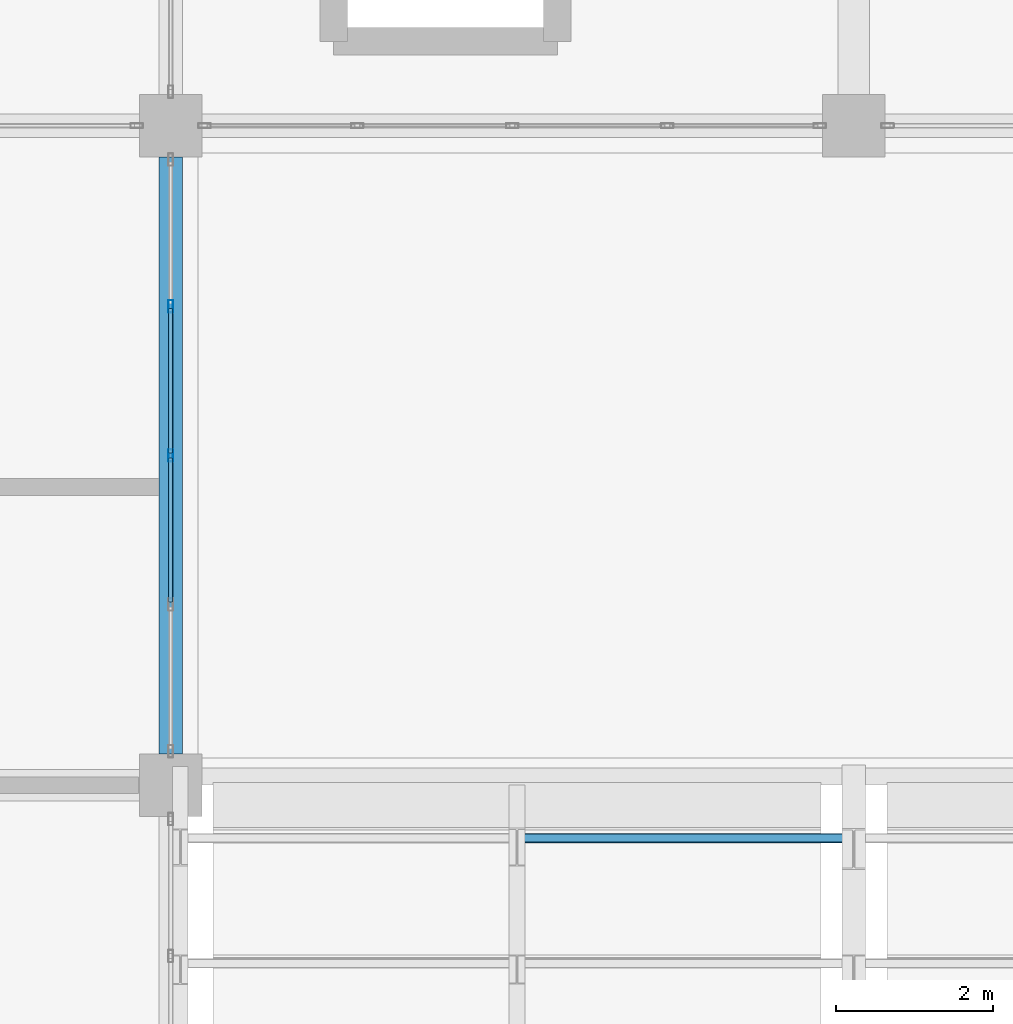
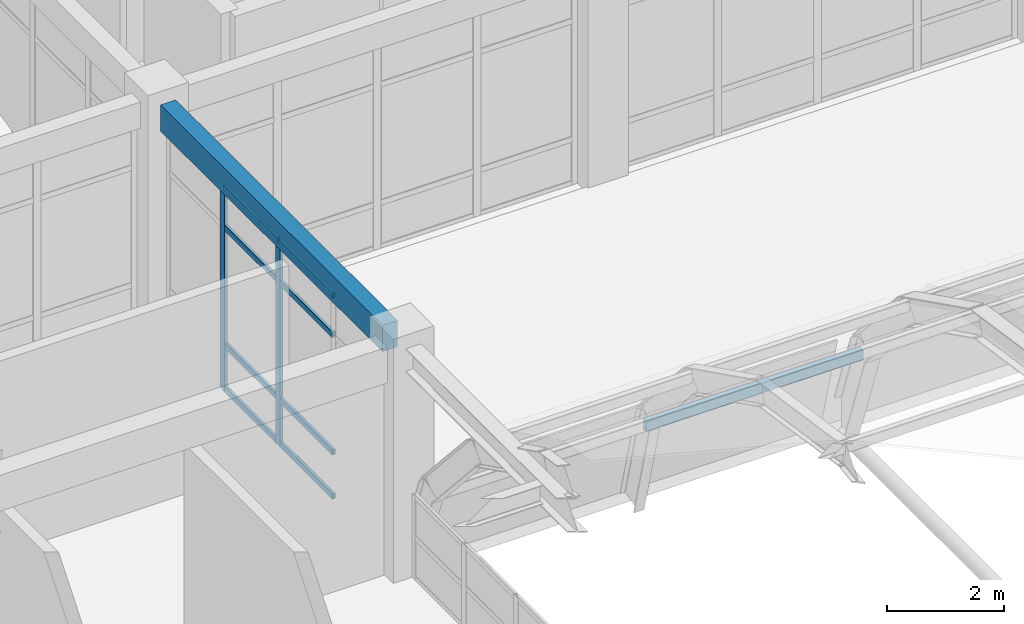
# One storey, part 56 of 124: 11 members, 1 beam, 1 element without a shape of its own.
"""IFC4 building model written with IfcOpenShell, lengths in metres."""

from ifc_helpers import new_model, si_unit, derived_unit, direction, frame, origin, origin_2d, place, context, subcontext, project, spatial, rectangle, hollow_rectangle, extrude, material, layer, layer_set, material_profile, profile_set, type_object, element, aggregate, save


model = new_model("IFC4")

# Units and contexts
model_context = context("Model", 3, precision=1e-05, world=origin(), true_north=direction((0.0, 1.0)))
body_context = subcontext(model_context, "Body", "Model", "MODEL_VIEW")
ifc_project = project(units=[si_unit("LENGTHUNIT", "METRE"), si_unit("AREAUNIT", "SQUARE_METRE"), si_unit("VOLUMEUNIT", "CUBIC_METRE"), si_unit("PLANEANGLEUNIT", "RADIAN"), si_unit("MASSUNIT", "GRAM", prefix="KILO"), derived_unit("THERMALTRANSMITTANCEUNIT", [(si_unit("MASSUNIT", "GRAM", prefix="KILO"), 1), (si_unit("TIMEUNIT", "SECOND"), -3), (si_unit("THERMODYNAMICTEMPERATUREUNIT", "KELVIN"), -1)])], contexts=[model_context])

# Site, building, storey
site_placement = place(None, origin())
site = spatial("IfcSite", under=ifc_project, at=site_placement, CompositionType="ELEMENT")
building_placement = place(site_placement, origin())
building = spatial("IfcBuilding", under=site, at=building_placement, Name="Qinzheling Arcade Emporium", CompositionType="ELEMENT")
storey_placement = place(building_placement, frame((0.0, 0.0, 16.5)))
storey = spatial("IfcBuildingStorey", under=building, at=storey_placement, Name="L04", CompositionType="ELEMENT", Elevation=16.5)

# Member
ifc_material_1 = material(Name="Weathering steel Q355NH", Category="steel")
ifc_material_profile_1 = material_profile(ifc_material_1, hollow_rectangle(XDim=0.1201171875, YDim=0.219970703125, WallThickness=0.008056640625, InnerFilletRadius=0.008056640625, OuterFilletRadius=0.01611328125, at=origin_2d()), Name="RHS 220x120x8", Category="steel")
ifc_profile_set_1 = profile_set([ifc_material_profile_1], Name="Weathering steel Q355NH")
member_type_1 = type_object("IfcMemberType", Name="Arcade Skylight Purlin RHS220 Q355NH", PredefinedType="PURLIN", material=ifc_profile_set_1)
member_1_placement = place(storey_placement, frame((108.81005859375, 64.72607421875, 1.7958984375), z_axis=(1.0, 0.0, 0.0), x_axis=(0.0, 1.0, 0.0)))
element("IfcMember", 1, at=member_1_placement, inside=storey, type_object=member_type_1, Name="Arcade Skylight Purlin VLT-ARCADE-PUR-B01-N07-2", PredefinedType="PURLIN", context=body_context, shape_type="SweptSolid", body=[
    extrude(hollow_rectangle(XDim=0.1201171875, YDim=0.219970703125, WallThickness=0.008056640625, InnerFilletRadius=0.008056640625, OuterFilletRadius=0.01611328125, at=origin_2d()), origin(), (0.0, 0.0, 1.0), 4.2900390625),
])

# Curtain wall, members
ifc_material_2 = material(Name="Anodised aluminium and solar-control double glazing", Category="aluminium")
ifc_layer = layer(ifc_material_2, 0.159912109375, Name="Anodised aluminium and solar-control double glazing", Category="aluminium")
ifc_layer_set = layer_set([ifc_layer], Name="Anodised aluminium and solar-control double glazing")
curtain_wall_type = type_object("IfcCurtainWallType", Name="Atrium Clerestory Curtain Wall", PredefinedType="NOTDEFINED", material=ifc_layer_set)
curtain_wall_placement = place(storey_placement, origin())
curtain_wall = element("IfcCurtainWall", 2, at=curtain_wall_placement, inside=storey, type_object=curtain_wall_type, Name="Curtain Wall CW-L04-250", PredefinedType="NOTDEFINED")
ifc_material_3 = material(Name="Anodised aluminium 6063-T6", Category="aluminium")
ifc_material_profile_2 = material_profile(ifc_material_3, hollow_rectangle(XDim=0.06005859375, YDim=0.159912109375, WallThickness=0.00390625, InnerFilletRadius=0.00390625, OuterFilletRadius=0.008056640625, at=origin_2d()), Name="RHS 160x60x4", Category="aluminium")
ifc_profile_set_2 = profile_set([ifc_material_profile_2], Name="Anodised aluminium 6063-T6")
member_type_2 = type_object("IfcMemberType", Name="Curtain Wall Mullion RHS160x60", PredefinedType="MULLION", material=ifc_profile_set_2)
member_2_placement = place(storey_placement, frame((104.39990234375, 71.4990234375, 0.0), z_axis=(0.0, 0.0, 1.0), x_axis=(1.0, 0.0, 0.0)))
member_2 = element("IfcMember", 3, at=member_2_placement, type_object=member_type_2, Name="CW03 mullion 2", PredefinedType="MULLION", context=body_context, shape_type="SweptSolid", body=[
    extrude(hollow_rectangle(XDim=0.06005859375, YDim=0.159912109375, WallThickness=0.00390625, InnerFilletRadius=0.00390625, OuterFilletRadius=0.008056640625, at=origin_2d()), origin(), (0.0, 0.0, 1.0), 4.2548828125),
])
member_3_placement = place(storey_placement, frame((104.39990234375, 69.60009765625, 0.0), z_axis=(0.0, 0.0, 1.0), x_axis=(1.0, 0.0, 0.0)))
member_3 = element("IfcMember", 4, at=member_3_placement, type_object=member_type_2, Name="CW03 mullion 3", PredefinedType="MULLION", context=body_context, shape_type="SweptSolid", body=[
    extrude(hollow_rectangle(XDim=0.06005859375, YDim=0.159912109375, WallThickness=0.00390625, InnerFilletRadius=0.00390625, OuterFilletRadius=0.008056640625, at=origin_2d()), origin(), (0.0, 0.0, 1.0), 4.2548828125),
])
ifc_material_profile_3 = material_profile(ifc_material_3, hollow_rectangle(XDim=0.06005859375, YDim=0.1201171875, WallThickness=0.00390625, InnerFilletRadius=0.00390625, OuterFilletRadius=0.008056640625, at=origin_2d()), Name="RHS 120x60x4", Category="aluminium")
ifc_profile_set_3 = profile_set([ifc_material_profile_3], Name="Anodised aluminium 6063-T6")
member_type_3 = type_object("IfcMemberType", Name="Curtain Wall Transom RHS120x60", PredefinedType="USERDEFINED", material=ifc_profile_set_3)
member_4_placement = place(storey_placement, frame((104.39990234375, 71.468994140625, 0.030029296875), z_axis=(0.0, -1.0, 0.0), x_axis=(1.0, 0.0, 0.0)))
member_4 = element("IfcMember", 5, at=member_4_placement, type_object=member_type_3, Name="CW03 transom 2.1", ObjectType="TRANSOM", PredefinedType="USERDEFINED", context=body_context, shape_type="SweptSolid", body=[
    extrude(hollow_rectangle(XDim=0.06005859375, YDim=0.1201171875, WallThickness=0.00390625, InnerFilletRadius=0.00390625, OuterFilletRadius=0.008056640625, at=origin_2d()), origin(), (0.0, 0.0, 1.0), 1.839111328125),
])
member_5_placement = place(storey_placement, frame((104.39990234375, 71.468994140625, 0.949951171875), z_axis=(0.0, -1.0, 0.0), x_axis=(1.0, 0.0, 0.0)))
member_5 = element("IfcMember", 6, at=member_5_placement, type_object=member_type_3, Name="CW03 transom 2.2", ObjectType="TRANSOM", PredefinedType="USERDEFINED", context=body_context, shape_type="SweptSolid", body=[
    extrude(hollow_rectangle(XDim=0.06005859375, YDim=0.1201171875, WallThickness=0.00390625, InnerFilletRadius=0.00390625, OuterFilletRadius=0.008056640625, at=origin_2d()), origin(), (0.0, 0.0, 1.0), 1.839111328125),
])
member_6_placement = place(storey_placement, frame((104.39990234375, 71.468994140625, 3.405029296875), z_axis=(0.0, -1.0, 0.0), x_axis=(1.0, 0.0, 0.0)))
member_6 = element("IfcMember", 7, at=member_6_placement, type_object=member_type_3, Name="CW03 transom 2.3", ObjectType="TRANSOM", PredefinedType="USERDEFINED", context=body_context, shape_type="SweptSolid", body=[
    extrude(hollow_rectangle(XDim=0.06005859375, YDim=0.1201171875, WallThickness=0.00390625, InnerFilletRadius=0.00390625, OuterFilletRadius=0.008056640625, at=origin_2d()), origin(), (0.0, 0.0, 1.0), 1.839111328125),
])
member_7_placement = place(storey_placement, frame((104.39990234375, 71.468994140625, 4.22509765625), z_axis=(0.0, -1.0, 0.0), x_axis=(1.0, 0.0, 0.0)))
member_7 = element("IfcMember", 8, at=member_7_placement, type_object=member_type_3, Name="CW03 transom 2.4", ObjectType="TRANSOM", PredefinedType="USERDEFINED", context=body_context, shape_type="SweptSolid", body=[
    extrude(hollow_rectangle(XDim=0.06005859375, YDim=0.1201171875, WallThickness=0.00390625, InnerFilletRadius=0.00390625, OuterFilletRadius=0.008056640625, at=origin_2d()), origin(), (0.0, 0.0, 1.0), 1.839111328125),
])
member_8_placement = place(storey_placement, frame((104.39990234375, 69.570068359375, 0.030029296875), z_axis=(0.0, -1.0, 0.0), x_axis=(1.0, 0.0, 0.0)))
member_8 = element("IfcMember", 9, at=member_8_placement, type_object=member_type_3, Name="CW03 transom 3.1", ObjectType="TRANSOM", PredefinedType="USERDEFINED", context=body_context, shape_type="SweptSolid", body=[
    extrude(hollow_rectangle(XDim=0.06005859375, YDim=0.1201171875, WallThickness=0.00390625, InnerFilletRadius=0.00390625, OuterFilletRadius=0.008056640625, at=origin_2d()), origin(), (0.0, 0.0, 1.0), 1.839111328125),
])
member_9_placement = place(storey_placement, frame((104.39990234375, 69.570068359375, 0.949951171875), z_axis=(0.0, -1.0, 0.0), x_axis=(1.0, 0.0, 0.0)))
member_9 = element("IfcMember", 10, at=member_9_placement, type_object=member_type_3, Name="CW03 transom 3.2", ObjectType="TRANSOM", PredefinedType="USERDEFINED", context=body_context, shape_type="SweptSolid", body=[
    extrude(hollow_rectangle(XDim=0.06005859375, YDim=0.1201171875, WallThickness=0.00390625, InnerFilletRadius=0.00390625, OuterFilletRadius=0.008056640625, at=origin_2d()), origin(), (0.0, 0.0, 1.0), 1.839111328125),
])
member_10_placement = place(storey_placement, frame((104.39990234375, 69.570068359375, 3.405029296875), z_axis=(0.0, -1.0, 0.0), x_axis=(1.0, 0.0, 0.0)))
member_10 = element("IfcMember", 11, at=member_10_placement, type_object=member_type_3, Name="CW03 transom 3.3", ObjectType="TRANSOM", PredefinedType="USERDEFINED", context=body_context, shape_type="SweptSolid", body=[
    extrude(hollow_rectangle(XDim=0.06005859375, YDim=0.1201171875, WallThickness=0.00390625, InnerFilletRadius=0.00390625, OuterFilletRadius=0.008056640625, at=origin_2d()), origin(), (0.0, 0.0, 1.0), 1.839111328125),
])
member_11_placement = place(storey_placement, frame((104.39990234375, 69.570068359375, 4.22509765625), z_axis=(0.0, -1.0, 0.0), x_axis=(1.0, 0.0, 0.0)))
member_11 = element("IfcMember", 12, at=member_11_placement, type_object=member_type_3, Name="CW03 transom 3.4", ObjectType="TRANSOM", PredefinedType="USERDEFINED", context=body_context, shape_type="SweptSolid", body=[
    extrude(hollow_rectangle(XDim=0.06005859375, YDim=0.1201171875, WallThickness=0.00390625, InnerFilletRadius=0.00390625, OuterFilletRadius=0.008056640625, at=origin_2d()), origin(), (0.0, 0.0, 1.0), 1.839111328125),
])
aggregate(curtain_wall, [member_2, member_3, member_4, member_5, member_6, member_7, member_8, member_9, member_10, member_11])

# Beam
ifc_material_4 = material(Name="Concrete C40", Category="concrete")
ifc_material_profile_4 = material_profile(ifc_material_4, rectangle(XDim=0.300048828125, YDim=0.550048828125, at=origin_2d()), Name="RC 300x550", Category="concrete")
ifc_profile_set_4 = profile_set([ifc_material_profile_4], Name="Concrete C40")
beam_type = type_object("IfcBeamType", Name="RC Terrace Spandrel Beam 300x550 C40", PredefinedType="SPANDREL", material=ifc_profile_set_4)
beam_placement = place(storey_placement, frame((104.39990234375, 65.800048828125, 4.544921875), z_axis=(0.0, 1.0, 0.0), x_axis=(-1.0, 0.0, 0.0)))
element("IfcBeam", 13, at=beam_placement, inside=storey, type_object=beam_type, Name="Beam BM-L04-Y-13-H", PredefinedType="SPANDREL", context=body_context, shape_type="SweptSolid", body=[
    extrude(rectangle(XDim=0.300048828125, YDim=0.550048828125, at=origin_2d()), origin(), (0.0, 0.0, 1.0), 7.599853515625),
])

save(model, "model.ifc")
